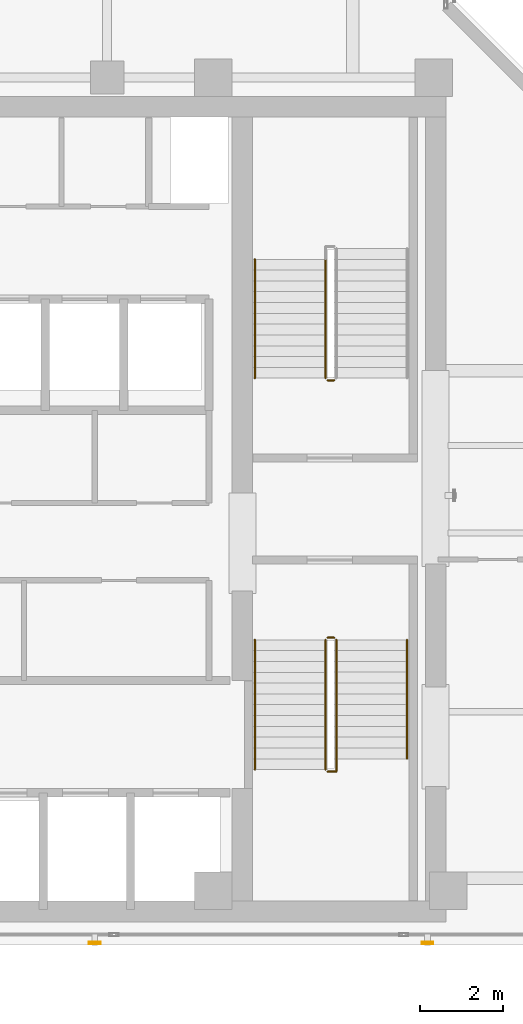
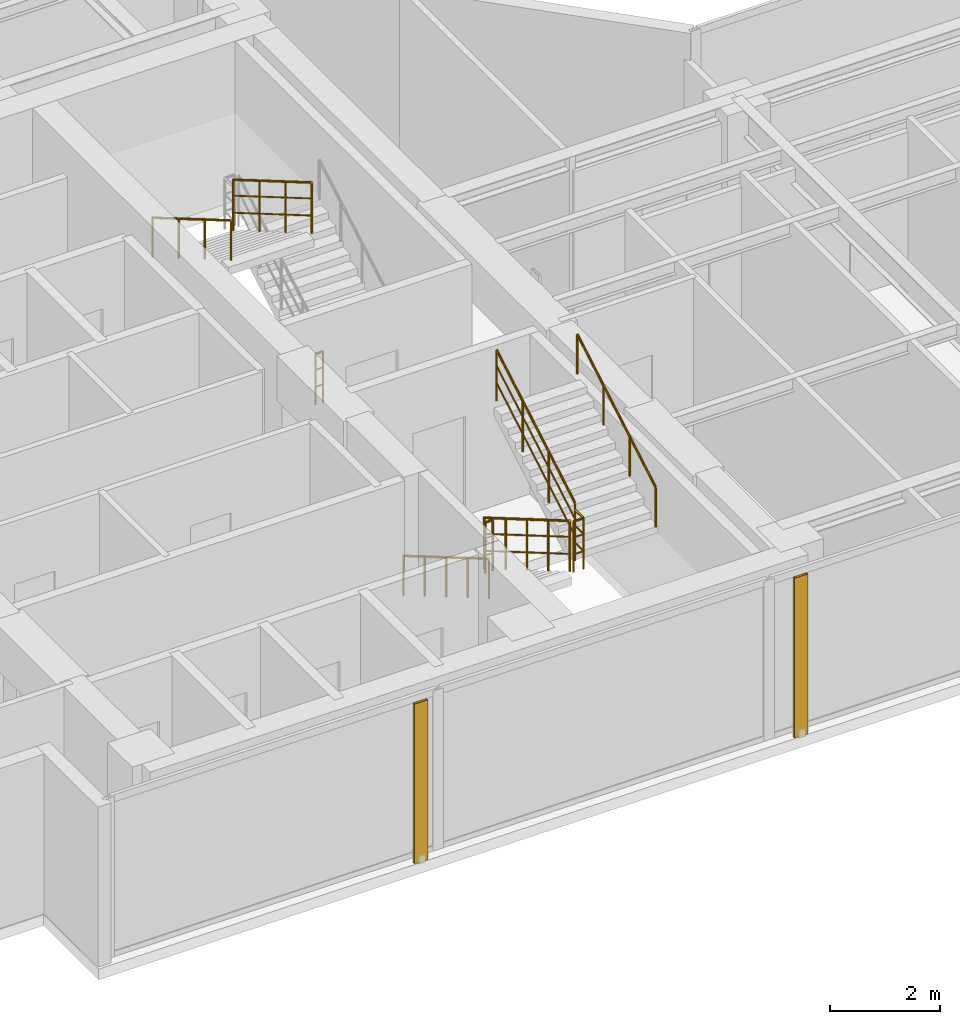
# One storey, part 19 of 23: 9 railings, 2 shading devices.
"""IFC4 building model written with IfcOpenShell, lengths in metres."""

from ifc_helpers import new_model, si_unit, direction, frame, origin, origin_2d, place, context, subcontext, project, spatial, hollow_rectangle, circle, extrude, material, material_profile, profile_set, type_object, element, save


model = new_model("IFC4")

# Units and contexts
model_context = context("Model", 3, precision=1e-05, world=origin(), true_north=direction((0.0, 1.0)))
body_context = subcontext(model_context, "Body", "Model", "MODEL_VIEW")
ifc_project = project(units=[si_unit("LENGTHUNIT", "METRE"), si_unit("AREAUNIT", "SQUARE_METRE"), si_unit("VOLUMEUNIT", "CUBIC_METRE"), si_unit("PLANEANGLEUNIT", "RADIAN"), si_unit("MASSUNIT", "GRAM", prefix="KILO")], contexts=[model_context])

# Site, building, storey
site_placement = place(None, origin())
site = spatial("IfcSite", under=ifc_project, at=site_placement, CompositionType="ELEMENT")
building_placement = place(site_placement, origin())
building = spatial("IfcBuilding", under=site, at=building_placement, Name="Kolvaren Waterfront Exchange", CompositionType="ELEMENT")
storey_placement = place(building_placement, frame((0.0, 0.0, 304.60009765625)))
storey = spatial("IfcBuildingStorey", under=building, at=storey_placement, Name="L78", CompositionType="ELEMENT", Elevation=304.60009765625)

# Shading devices
ifc_material_1 = material(Name="Anodised bronze aluminium 6063-T6", Category="aluminium")
ifc_material_profile = material_profile(ifc_material_1, hollow_rectangle(XDim=0.054931640625, YDim=0.280029296875, WallThickness=0.00439453125, at=origin_2d()), Name="BRZ-FIN-280x55x4.5")
ifc_profile_set = profile_set([ifc_material_profile], Name="Anodised bronze aluminium 6063-T6")
shading_device_type = type_object("IfcShadingDeviceType", Name="ARC-FIN-280", PredefinedType="USERDEFINED", material=ifc_profile_set)
for number, where, z_axis, x_axis, name in (
    (1, (12.60009765625, 3.639892578125, 0.0), (0.0, 0.0, 1.0), (0.0, -1.0, 0.0), "L78 anodised bronze solar shading fin FIN-L78-S1"),
    (2, (20.60009765625, 3.639892578125, 0.0), (0.0, 0.0, 1.0), (0.0, -1.0, 0.0), "L78 anodised bronze solar shading fin FIN-L78-S2"),
):
    element("IfcShadingDevice", number, at=place(storey_placement, frame(where, z_axis=z_axis, x_axis=x_axis)), inside=storey, type_object=shading_device_type, Name=name, ObjectType="SOLAR FIN", PredefinedType="USERDEFINED", context=body_context, shape_type="SweptSolid", body=[
        extrude(hollow_rectangle(XDim=0.054931640625, YDim=0.280029296875, WallThickness=0.00439453125, at=origin_2d()), origin(), (0.0, 0.0, 1.0), 3.559814453125),
    ])

# Railings
ifc_material_2 = material(Name="Stainless steel 316", Category="steel")
railing_type_1 = type_object("IfcRailingType", Name="ARC-GUARD-STAIR", PredefinedType="GUARDRAIL", material=ifc_material_2)
railing_1_placement = place(storey_placement, frame((18.14990234375, 10.929931640625, 0.15185546875)))
element("IfcRailing", 3, at=railing_1_placement, inside=storey, type_object=railing_type_1, Name="L78 ST1 stair guard 1", PredefinedType="GUARDRAIL", context=body_context, shape_type="SweptSolid", body=[
    extrude(circle(Radius=0.02392578125, at=origin_2d()), frame((0.0, 0.0, 1.1259765625), z_axis=(0.0, -0.86329090724, 0.504706656858), x_axis=(1.0, 0.0, 0.0)), (0.0, 0.0, 1.0), 3.614013671875),
    extrude(circle(Radius=0.01611328125, at=origin_2d()), frame((0.0, 0.0, 0.390869140625), z_axis=(0.0, -0.86329090724, 0.504706656858), x_axis=(1.0, 0.0, 0.0)), (0.0, 0.0, 1.0), 3.614013671875),
    extrude(circle(Radius=0.01611328125, at=origin_2d()), frame((0.0, 0.0, 0.7705078125), z_axis=(0.0, -0.86329090724, 0.504706656858), x_axis=(1.0, 0.0, 0.0)), (0.0, 0.0, 1.0), 3.614013671875),
    extrude(circle(Radius=0.02099609375, at=origin_2d()), origin(), (0.0, 0.0, 1.0), 1.101806640625),
    extrude(circle(Radius=0.02099609375, at=origin_2d()), frame((0.0, -0.780029296875, 0.4560546875)), (0.0, 0.0, 1.0), 1.101806640625),
    extrude(circle(Radius=0.02099609375, at=origin_2d()), frame((0.0, -1.56005859375, 0.912109375)), (0.0, 0.0, 1.0), 1.101806640625),
    extrude(circle(Radius=0.02099609375, at=origin_2d()), frame((0.0, -2.33984375, 1.367919921875)), (0.0, 0.0, 1.0), 1.101806640625),
    extrude(circle(Radius=0.02099609375, at=origin_2d()), frame((0.0, -3.119873046875, 1.823974609375)), (0.0, 0.0, 1.0), 1.101806640625),
])
railing_2_placement = place(storey_placement, frame((18.199951171875, 7.760009765625, 1.975830078125)))
element("IfcRailing", 4, at=railing_2_placement, inside=storey, type_object=railing_type_1, Name="L78 ST1 stair guard 2", PredefinedType="GUARDRAIL", context=body_context, shape_type="SweptSolid", body=[
    extrude(circle(Radius=0.02392578125, at=origin_2d()), frame((0.0, 0.0, 1.1259765625), z_axis=(1.0, 0.0, 0.0), x_axis=(0.0, 1.0, 0.0)), (0.0, 0.0, 1.0), 0.2099609375),
    extrude(circle(Radius=0.01611328125, at=origin_2d()), frame((0.0, 0.0, 0.390869140625), z_axis=(1.0, 0.0, 0.0), x_axis=(0.0, 1.0, 0.0)), (0.0, 0.0, 1.0), 0.2099609375),
    extrude(circle(Radius=0.01611328125, at=origin_2d()), frame((0.0, 0.0, 0.7705078125), z_axis=(1.0, 0.0, 0.0), x_axis=(0.0, 1.0, 0.0)), (0.0, 0.0, 1.0), 0.2099609375),
    extrude(circle(Radius=0.02392578125, at=origin_2d()), frame((0.2099609375, 0.0, 1.1259765625), z_axis=(0.0, 1.0, 0.0), x_axis=(-1.0, 0.0, 0.0)), (0.0, 0.0, 1.0), 0.31005859375),
    extrude(circle(Radius=0.01611328125, at=origin_2d()), frame((0.2099609375, 0.0, 0.390869140625), z_axis=(0.0, 1.0, 0.0), x_axis=(-1.0, 0.0, 0.0)), (0.0, 0.0, 1.0), 0.31005859375),
    extrude(circle(Radius=0.01611328125, at=origin_2d()), frame((0.2099609375, 0.0, 0.7705078125), z_axis=(0.0, 1.0, 0.0), x_axis=(-1.0, 0.0, 0.0)), (0.0, 0.0, 1.0), 0.31005859375),
    extrude(circle(Radius=0.02099609375, at=origin_2d()), origin(), (0.0, 0.0, 1.0), 1.101806640625),
    extrude(circle(Radius=0.02099609375, at=origin_2d()), frame((0.2099609375, 0.0, 0.0)), (0.0, 0.0, 1.0), 1.101806640625),
    extrude(circle(Radius=0.02099609375, at=origin_2d()), frame((0.2099609375, 0.31005859375, 0.0)), (0.0, 0.0, 1.0), 1.101806640625),
])
railing_3_placement = place(storey_placement, frame((18.409912109375, 8.070068359375, 2.1279296875)))
element("IfcRailing", 5, at=railing_3_placement, inside=storey, type_object=railing_type_1, Name="L78 ST1 stair guard 3", PredefinedType="GUARDRAIL", context=body_context, shape_type="SweptSolid", body=[
    extrude(circle(Radius=0.02392578125, at=origin_2d()), frame((0.0, 0.0, 1.1259765625), z_axis=(0.0, 0.86330272217, 0.504686447108), x_axis=(-1.0, 0.0, 0.0)), (0.0, 0.0, 1.0), 3.312744140625),
    extrude(circle(Radius=0.01611328125, at=origin_2d()), frame((0.0, 0.0, 0.390869140625), z_axis=(0.0, 0.86330272217, 0.504686447108), x_axis=(-1.0, 0.0, 0.0)), (0.0, 0.0, 1.0), 3.312744140625),
    extrude(circle(Radius=0.01611328125, at=origin_2d()), frame((0.0, 0.0, 0.7705078125), z_axis=(0.0, 0.86330272217, 0.504686447108), x_axis=(-1.0, 0.0, 0.0)), (0.0, 0.0, 1.0), 3.312744140625),
    extrude(circle(Radius=0.02099609375, at=origin_2d()), origin(), (0.0, 0.0, 1.0), 1.101806640625),
    extrude(circle(Radius=0.02099609375, at=origin_2d()), frame((0.0, 0.953369140625, 0.557373046875)), (0.0, 0.0, 1.0), 1.101806640625),
    extrude(circle(Radius=0.02099609375, at=origin_2d()), frame((0.0, 1.906494140625, 1.114501953125)), (0.0, 0.0, 1.0), 1.101806640625),
    extrude(circle(Radius=0.02099609375, at=origin_2d()), frame((0.0, 2.85986328125, 1.671875)), (0.0, 0.0, 1.0), 1.101806640625),
])
railing_4_placement = place(storey_placement, frame((18.199951171875, 10.97998046875, 0.0)))
element("IfcRailing", 6, at=railing_4_placement, inside=storey, type_object=railing_type_1, Name="L78 ST1 stair guard 4", PredefinedType="GUARDRAIL", context=body_context, shape_type="SweptSolid", body=[
    extrude(circle(Radius=0.02392578125, at=origin_2d()), frame((0.0, 0.0, 1.1259765625), z_axis=(1.0, 0.0, 0.0), x_axis=(0.0, 1.0, 0.0)), (0.0, 0.0, 1.0), 0.16015625),
    extrude(circle(Radius=0.01611328125, at=origin_2d()), frame((0.0, 0.0, 0.390869140625), z_axis=(1.0, 0.0, 0.0), x_axis=(0.0, 1.0, 0.0)), (0.0, 0.0, 1.0), 0.16015625),
    extrude(circle(Radius=0.01611328125, at=origin_2d()), frame((0.0, 0.0, 0.7705078125), z_axis=(1.0, 0.0, 0.0), x_axis=(0.0, 1.0, 0.0)), (0.0, 0.0, 1.0), 0.16015625),
    extrude(circle(Radius=0.02099609375, at=origin_2d()), origin(), (0.0, 0.0, 1.0), 1.101806640625),
    extrude(circle(Radius=0.02099609375, at=origin_2d()), frame((0.16015625, 0.0, 0.0)), (0.0, 0.0, 1.0), 1.101806640625),
])
railing_5_placement = place(storey_placement, frame((18.14990234375, 20.080078125, 2.1279296875)))
element("IfcRailing", 7, at=railing_5_placement, inside=storey, type_object=railing_type_1, Name="L78 ST2 stair guard 3", PredefinedType="GUARDRAIL", context=body_context, shape_type="SweptSolid", body=[
    extrude(circle(Radius=0.02392578125, at=origin_2d()), frame((0.0, 0.0, 1.1259765625), z_axis=(0.0, -0.863321491973, 0.504654338629), x_axis=(1.0, 0.0, 0.0)), (0.0, 0.0, 1.0), 3.31298828125),
    extrude(circle(Radius=0.01611328125, at=origin_2d()), frame((0.0, 0.0, 0.390869140625), z_axis=(0.0, -0.863321491973, 0.504654338629), x_axis=(1.0, 0.0, 0.0)), (0.0, 0.0, 1.0), 3.31298828125),
    extrude(circle(Radius=0.01611328125, at=origin_2d()), frame((0.0, 0.0, 0.7705078125), z_axis=(0.0, -0.863321491973, 0.504654338629), x_axis=(1.0, 0.0, 0.0)), (0.0, 0.0, 1.0), 3.31298828125),
    extrude(circle(Radius=0.02099609375, at=origin_2d()), origin(), (0.0, 0.0, 1.0), 1.101806640625),
    extrude(circle(Radius=0.02099609375, at=origin_2d()), frame((0.0, -0.953369140625, 0.557373046875)), (0.0, 0.0, 1.0), 1.101806640625),
    extrude(circle(Radius=0.02099609375, at=origin_2d()), frame((0.0, -1.90673828125, 1.114501953125)), (0.0, 0.0, 1.0), 1.101806640625),
    extrude(circle(Radius=0.02099609375, at=origin_2d()), frame((0.0, -2.860107421875, 1.671875)), (0.0, 0.0, 1.0), 1.101806640625),
])
railing_6_placement = place(storey_placement, frame((18.360107421875, 17.169921875, 0.0)))
element("IfcRailing", 8, at=railing_6_placement, inside=storey, type_object=railing_type_1, Name="L78 ST2 stair guard 4", PredefinedType="GUARDRAIL", context=body_context, shape_type="SweptSolid", body=[
    extrude(circle(Radius=0.02392578125, at=origin_2d()), frame((0.0, 0.0, 1.1259765625), z_axis=(-1.0, 0.0, 0.0), x_axis=(0.0, -1.0, 0.0)), (0.0, 0.0, 1.0), 0.16015625),
    extrude(circle(Radius=0.01611328125, at=origin_2d()), frame((0.0, 0.0, 0.390869140625), z_axis=(-1.0, 0.0, 0.0), x_axis=(0.0, -1.0, 0.0)), (0.0, 0.0, 1.0), 0.16015625),
    extrude(circle(Radius=0.01611328125, at=origin_2d()), frame((0.0, 0.0, 0.7705078125), z_axis=(-1.0, 0.0, 0.0), x_axis=(0.0, -1.0, 0.0)), (0.0, 0.0, 1.0), 0.16015625),
    extrude(circle(Radius=0.02099609375, at=origin_2d()), origin(), (0.0, 0.0, 1.0), 1.101806640625),
    extrude(circle(Radius=0.02099609375, at=origin_2d()), frame((-0.16015625, 0.0, 0.0)), (0.0, 0.0, 1.0), 1.101806640625),
])
railing_type_2 = type_object("IfcRailingType", Name="ARC-HANDRAIL-900", PredefinedType="HANDRAIL", material=ifc_material_2)
railing_7_placement = place(storey_placement, frame((16.449951171875, 10.929931640625, 0.15185546875)))
element("IfcRailing", 9, at=railing_7_placement, inside=storey, type_object=railing_type_2, Name="L78 ST1 stair handrail 1", PredefinedType="HANDRAIL", context=body_context, shape_type="SweptSolid", body=[
    extrude(circle(Radius=0.02392578125, at=origin_2d()), frame((0.0, 0.0, 0.8759765625), z_axis=(0.0, -0.86329090724, 0.504706656858), x_axis=(1.0, 0.0, 0.0)), (0.0, 0.0, 1.0), 3.614013671875),
    extrude(circle(Radius=0.02099609375, at=origin_2d()), origin(), (0.0, 0.0, 1.0), 0.851806640625),
    extrude(circle(Radius=0.02099609375, at=origin_2d()), frame((0.0, -0.780029296875, 0.4560546875)), (0.0, 0.0, 1.0), 0.851806640625),
    extrude(circle(Radius=0.02099609375, at=origin_2d()), frame((0.0, -1.56005859375, 0.912109375)), (0.0, 0.0, 1.0), 0.851806640625),
    extrude(circle(Radius=0.02099609375, at=origin_2d()), frame((0.0, -2.33984375, 1.367919921875)), (0.0, 0.0, 1.0), 0.851806640625),
    extrude(circle(Radius=0.02099609375, at=origin_2d()), frame((0.0, -3.119873046875, 1.823974609375)), (0.0, 0.0, 1.0), 0.851806640625),
])
railing_8_placement = place(storey_placement, frame((20.110107421875, 8.070068359375, 2.1279296875)))
element("IfcRailing", 10, at=railing_8_placement, inside=storey, type_object=railing_type_2, Name="L78 ST1 stair handrail 2", PredefinedType="HANDRAIL", context=body_context, shape_type="SweptSolid", body=[
    extrude(circle(Radius=0.02392578125, at=origin_2d()), frame((0.0, 0.0, 0.8759765625), z_axis=(0.0, 0.86330272217, 0.504686447108), x_axis=(-1.0, 0.0, 0.0)), (0.0, 0.0, 1.0), 3.312744140625),
    extrude(circle(Radius=0.02099609375, at=origin_2d()), origin(), (0.0, 0.0, 1.0), 0.851806640625),
    extrude(circle(Radius=0.02099609375, at=origin_2d()), frame((0.0, 0.953369140625, 0.557373046875)), (0.0, 0.0, 1.0), 0.851806640625),
    extrude(circle(Radius=0.02099609375, at=origin_2d()), frame((0.0, 1.906494140625, 1.114501953125)), (0.0, 0.0, 1.0), 0.851806640625),
    extrude(circle(Radius=0.02099609375, at=origin_2d()), frame((0.0, 2.85986328125, 1.671875)), (0.0, 0.0, 1.0), 0.851806640625),
])
railing_9_placement = place(storey_placement, frame((16.449951171875, 20.080078125, 2.1279296875)))
element("IfcRailing", 11, at=railing_9_placement, inside=storey, type_object=railing_type_2, Name="L78 ST2 stair handrail 2", PredefinedType="HANDRAIL", context=body_context, shape_type="SweptSolid", body=[
    extrude(circle(Radius=0.02392578125, at=origin_2d()), frame((0.0, 0.0, 0.8759765625), z_axis=(0.0, -0.863321491973, 0.504654338629), x_axis=(1.0, 0.0, 0.0)), (0.0, 0.0, 1.0), 3.31298828125),
    extrude(circle(Radius=0.02099609375, at=origin_2d()), origin(), (0.0, 0.0, 1.0), 0.851806640625),
    extrude(circle(Radius=0.02099609375, at=origin_2d()), frame((0.0, -0.953369140625, 0.557373046875)), (0.0, 0.0, 1.0), 0.851806640625),
    extrude(circle(Radius=0.02099609375, at=origin_2d()), frame((0.0, -1.90673828125, 1.114501953125)), (0.0, 0.0, 1.0), 0.851806640625),
    extrude(circle(Radius=0.02099609375, at=origin_2d()), frame((0.0, -2.860107421875, 1.671875)), (0.0, 0.0, 1.0), 0.851806640625),
])

save(model, "model.ifc")
